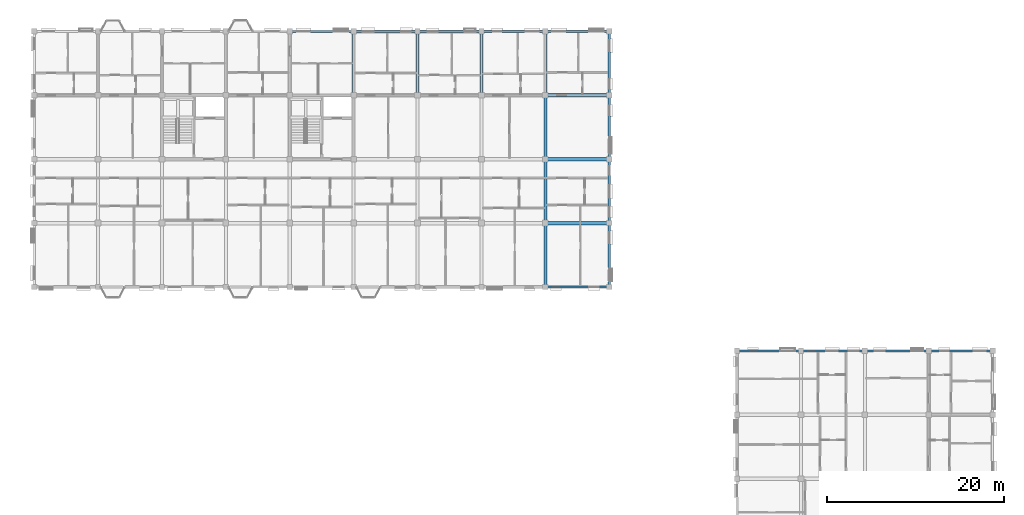
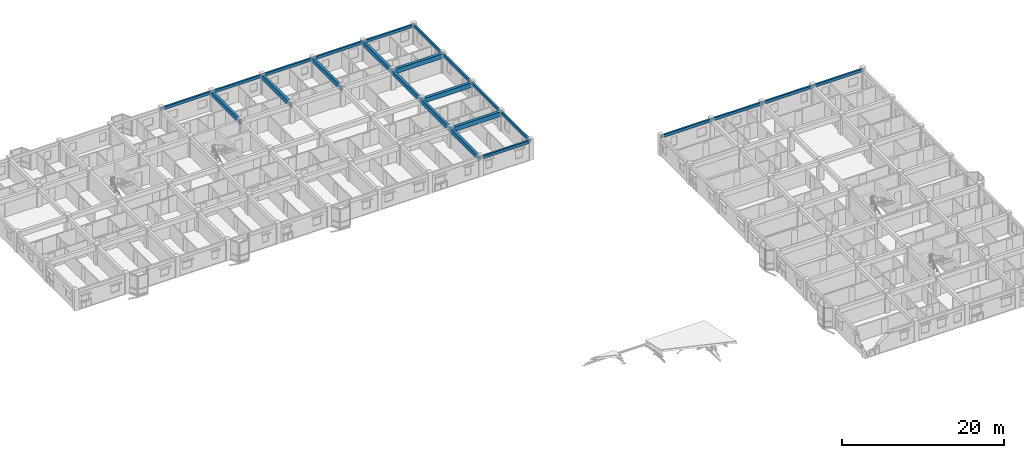
# One storey, part 70 of 124: 24 beams.
"""IFC4 building model written with IfcOpenShell, lengths in metres."""

from ifc_helpers import new_model, si_unit, direction, frame, origin, origin_2d, place, context, subcontext, project, spatial, rectangle, extrude, material, material_profile, profile_set, type_object, element, save


model = new_model("IFC4")

# Units and contexts
model_context = context("Model", 3, precision=1e-05, world=origin(), true_north=direction((0.0, 1.0)))
body_context = subcontext(model_context, "Body", "Model", "MODEL_VIEW")
ifc_project = project(units=[si_unit("LENGTHUNIT", "METRE"), si_unit("AREAUNIT", "SQUARE_METRE"), si_unit("VOLUMEUNIT", "CUBIC_METRE"), si_unit("PLANEANGLEUNIT", "RADIAN"), si_unit("MASSUNIT", "GRAM", prefix="KILO"), si_unit("THERMODYNAMICTEMPERATUREUNIT", "KELVIN"), si_unit("POWERUNIT", "WATT")], contexts=[model_context])

# Site, building, storey
site_placement = place(None, origin())
site = spatial("IfcSite", under=ifc_project, at=site_placement, CompositionType="ELEMENT")
building_placement = place(site_placement, origin())
building = spatial("IfcBuilding", under=site, at=building_placement, Name="Tavuni Mirador Residences", CompositionType="ELEMENT")
storey_placement = place(building_placement, frame((0.0, 0.0, 7.64990234375)))
storey = spatial("IfcBuildingStorey", under=building, at=storey_placement, Name="L02", CompositionType="ELEMENT", Elevation=7.64990234375)

# Beams
ifc_material = material(Name="Precast concrete C40/50", Category="concrete")
ifc_material_profile_1 = material_profile(ifc_material, rectangle(XDim=0.35009765625, YDim=0.64990234375, at=origin_2d()), Name="PC 350x650", Category="concrete")
ifc_profile_set_1 = profile_set([ifc_material_profile_1], Name="Precast concrete C40/50")
beam_type_1 = type_object("IfcBeamType", Name="BT-B650", PredefinedType="BEAM", material=ifc_profile_set_1)
for number, where, z_axis, x_axis, name in (
    (1, (46.800048828125, 165.60009765625, 2.56005859375), (0.0, 1.0, 0.0), (-1.0, 0.0, 0.0), "BMY-BLK-C-L02-05-03"),
    (2, (54.0, 165.60009765625, 2.56005859375), (0.0, 1.0, 0.0), (-1.0, 0.0, 0.0), "BMY-BLK-C-L02-06-03"),
    (3, (61.199951171875, 165.60009765625, 2.56005859375), (0.0, 1.0, 0.0), (-1.0, 0.0, 0.0), "BMY-BLK-C-L02-07-03"),
    (4, (68.39990234375, 144.0, 2.56005859375), (0.0, 1.0, 0.0), (-1.0, 0.0, 0.0), "BMY-BLK-C-L02-08-00"),
    (5, (68.39990234375, 151.199951171875, 2.56005859375), (0.0, 1.0, 0.0), (-1.0, 0.0, 0.0), "BMY-BLK-C-L02-08-01"),
):
    element("IfcBeam", number, at=place(storey_placement, frame(where, z_axis=z_axis, x_axis=x_axis)), inside=storey, type_object=beam_type_1, Name=name, PredefinedType="BEAM", context=body_context, shape_type="SweptSolid", body=[
        extrude(rectangle(XDim=0.35009765625, YDim=0.64990234375, at=origin_2d()), origin(), (0.0, 0.0, 1.0), 7.199951171875),
    ])
beam_1_placement = place(storey_placement, frame((68.39990234375, 158.39990234375, 2.56005859375), z_axis=(0.0, 1.0, 0.0), x_axis=(-1.0, 0.0, 0.0)))
element("IfcBeam", 6, at=beam_1_placement, inside=storey, type_object=beam_type_1, Name="BMY-BLK-C-L02-08-02", PredefinedType="BEAM", context=body_context, shape_type="SweptSolid", body=[
    extrude(rectangle(XDim=0.35009765625, YDim=0.64990234375, at=origin_2d()), origin(), (0.0, 0.0, 1.0), 7.2001953125),
])
beam_2_placement = place(storey_placement, frame((68.39990234375, 165.60009765625, 2.56005859375), z_axis=(0.0, 1.0, 0.0), x_axis=(-1.0, 0.0, 0.0)))
element("IfcBeam", 7, at=beam_2_placement, inside=storey, type_object=beam_type_1, Name="BMY-BLK-C-L02-08-03", PredefinedType="BEAM", context=body_context, shape_type="SweptSolid", body=[
    extrude(rectangle(XDim=0.35009765625, YDim=0.64990234375, at=origin_2d()), origin(), (0.0, 0.0, 1.0), 7.199951171875),
])
ifc_material_profile_2 = material_profile(ifc_material, rectangle(XDim=0.39990234375, YDim=0.699951171875, at=origin_2d()), Name="PC 400x700", Category="concrete")
ifc_profile_set_2 = profile_set([ifc_material_profile_2], Name="Precast concrete C40/50")
beam_type_2 = type_object("IfcBeamType", Name="BT-B700", PredefinedType="BEAM", material=ifc_profile_set_2)
for number, where, z_axis, x_axis, name in (
    (8, (68.39990234375, 151.199951171875, 2.53515625), (1.0, 0.0, 0.0), (0.0, 1.0, 0.0), "BMX-BLK-C-L02-08-01"),
    (9, (68.39990234375, 158.39990234375, 2.53515625), (1.0, 0.0, 0.0), (0.0, 1.0, 0.0), "BMX-BLK-C-L02-08-02"),
    (10, (68.39990234375, 165.60009765625, 2.53515625), (1.0, 0.0, 0.0), (0.0, 1.0, 0.0), "BMX-BLK-C-L02-08-03"),
):
    element("IfcBeam", number, at=place(storey_placement, frame(where, z_axis=z_axis, x_axis=x_axis)), inside=storey, type_object=beam_type_2, Name=name, PredefinedType="BEAM", context=body_context, shape_type="SweptSolid", body=[
        extrude(rectangle(XDim=0.39990234375, YDim=0.699951171875, at=origin_2d()), origin(), (0.0, 0.0, 1.0), 7.2001953125),
    ])
ifc_material_profile_3 = material_profile(ifc_material, rectangle(XDim=0.25, YDim=0.419921875, at=origin_2d()), Name="PC 250x420", Category="concrete")
ifc_profile_set_3 = profile_set([ifc_material_profile_3], Name="Precast concrete C40/50")
beam_type_3 = type_object("IfcBeamType", Name="BT-SP420", PredefinedType="SPANDREL", material=ifc_profile_set_3)
beam_3_placement = place(storey_placement, frame((68.39990234375, 144.0, 2.675048828125), z_axis=(1.0, 0.0, 0.0), x_axis=(0.0, 1.0, 0.0)))
element("IfcBeam", 11, at=beam_3_placement, inside=storey, type_object=beam_type_3, Name="BMX-BLK-C-L02-08-00", PredefinedType="SPANDREL", context=body_context, shape_type="SweptSolid", body=[
    extrude(rectangle(XDim=0.25, YDim=0.419921875, at=origin_2d()), origin(), (0.0, 0.0, 1.0), 7.2001953125),
])
for number, where, z_axis, x_axis, name in (
    (12, (39.60009765625, 172.800048828125, 2.675048828125), (1.0, 0.0, 0.0), (0.0, 1.0, 0.0), "BMX-BLK-C-L02-04-04"),
    (13, (46.800048828125, 172.800048828125, 2.675048828125), (1.0, 0.0, 0.0), (0.0, 1.0, 0.0), "BMX-BLK-C-L02-05-04"),
    (14, (54.0, 172.800048828125, 2.675048828125), (1.0, 0.0, 0.0), (0.0, 1.0, 0.0), "BMX-BLK-C-L02-06-04"),
    (15, (61.199951171875, 172.800048828125, 2.675048828125), (1.0, 0.0, 0.0), (0.0, 1.0, 0.0), "BMX-BLK-C-L02-07-04"),
):
    element("IfcBeam", number, at=place(storey_placement, frame(where, z_axis=z_axis, x_axis=x_axis)), inside=storey, type_object=beam_type_3, Name=name, PredefinedType="SPANDREL", context=body_context, shape_type="SweptSolid", body=[
        extrude(rectangle(XDim=0.25, YDim=0.419921875, at=origin_2d()), origin(), (0.0, 0.0, 1.0), 7.199951171875),
    ])
beam_4_placement = place(storey_placement, frame((68.39990234375, 172.800048828125, 2.675048828125), z_axis=(1.0, 0.0, 0.0), x_axis=(0.0, 1.0, 0.0)))
element("IfcBeam", 16, at=beam_4_placement, inside=storey, type_object=beam_type_3, Name="BMX-BLK-C-L02-08-04", PredefinedType="SPANDREL", context=body_context, shape_type="SweptSolid", body=[
    extrude(rectangle(XDim=0.25, YDim=0.419921875, at=origin_2d()), origin(), (0.0, 0.0, 1.0), 7.2001953125),
])
for number, where, z_axis, x_axis, name in (
    (17, (75.60009765625, 144.0, 2.675048828125), (0.0, 1.0, 0.0), (-1.0, 0.0, 0.0), "BMY-BLK-C-L02-09-00"),
    (18, (75.60009765625, 151.199951171875, 2.675048828125), (0.0, 1.0, 0.0), (-1.0, 0.0, 0.0), "BMY-BLK-C-L02-09-01"),
):
    element("IfcBeam", number, at=place(storey_placement, frame(where, z_axis=z_axis, x_axis=x_axis)), inside=storey, type_object=beam_type_3, Name=name, PredefinedType="SPANDREL", context=body_context, shape_type="SweptSolid", body=[
        extrude(rectangle(XDim=0.25, YDim=0.419921875, at=origin_2d()), origin(), (0.0, 0.0, 1.0), 7.199951171875),
    ])
beam_5_placement = place(storey_placement, frame((75.60009765625, 158.39990234375, 2.675048828125), z_axis=(0.0, 1.0, 0.0), x_axis=(-1.0, 0.0, 0.0)))
element("IfcBeam", 19, at=beam_5_placement, inside=storey, type_object=beam_type_3, Name="BMY-BLK-C-L02-09-02", PredefinedType="SPANDREL", context=body_context, shape_type="SweptSolid", body=[
    extrude(rectangle(XDim=0.25, YDim=0.419921875, at=origin_2d()), origin(), (0.0, 0.0, 1.0), 7.2001953125),
])
for number, where, z_axis, x_axis, name in (
    (20, (75.60009765625, 165.60009765625, 2.675048828125), (0.0, 1.0, 0.0), (-1.0, 0.0, 0.0), "BMY-BLK-C-L02-09-03"),
    (21, (90.0, 136.800048828125, 2.68017578125), (1.0, 0.0, 0.0), (0.0, 1.0, 0.0), "BMX-BLK-D-L02-00-07"),
    (22, (97.199951171875, 136.800048828125, 2.68017578125), (1.0, 0.0, 0.0), (0.0, 1.0, 0.0), "BMX-BLK-D-L02-01-07"),
):
    element("IfcBeam", number, at=place(storey_placement, frame(where, z_axis=z_axis, x_axis=x_axis)), inside=storey, type_object=beam_type_3, Name=name, PredefinedType="SPANDREL", context=body_context, shape_type="SweptSolid", body=[
        extrude(rectangle(XDim=0.25, YDim=0.419921875, at=origin_2d()), origin(), (0.0, 0.0, 1.0), 7.199951171875),
    ])
beam_6_placement = place(storey_placement, frame((104.39990234375, 136.800048828125, 2.68017578125), z_axis=(1.0, 0.0, 0.0), x_axis=(0.0, 1.0, 0.0)))
element("IfcBeam", 23, at=beam_6_placement, inside=storey, type_object=beam_type_3, Name="BMX-BLK-D-L02-02-07", PredefinedType="SPANDREL", context=body_context, shape_type="SweptSolid", body=[
    extrude(rectangle(XDim=0.25, YDim=0.419921875, at=origin_2d()), origin(), (0.0, 0.0, 1.0), 7.2001953125),
])
beam_7_placement = place(storey_placement, frame((111.60009765625, 136.800048828125, 2.68017578125), z_axis=(1.0, 0.0, 0.0), x_axis=(0.0, 1.0, 0.0)))
element("IfcBeam", 24, at=beam_7_placement, inside=storey, type_object=beam_type_3, Name="BMX-BLK-D-L02-03-07", PredefinedType="SPANDREL", context=body_context, shape_type="SweptSolid", body=[
    extrude(rectangle(XDim=0.25, YDim=0.419921875, at=origin_2d()), origin(), (0.0, 0.0, 1.0), 7.199951171875),
])

save(model, "model.ifc")
